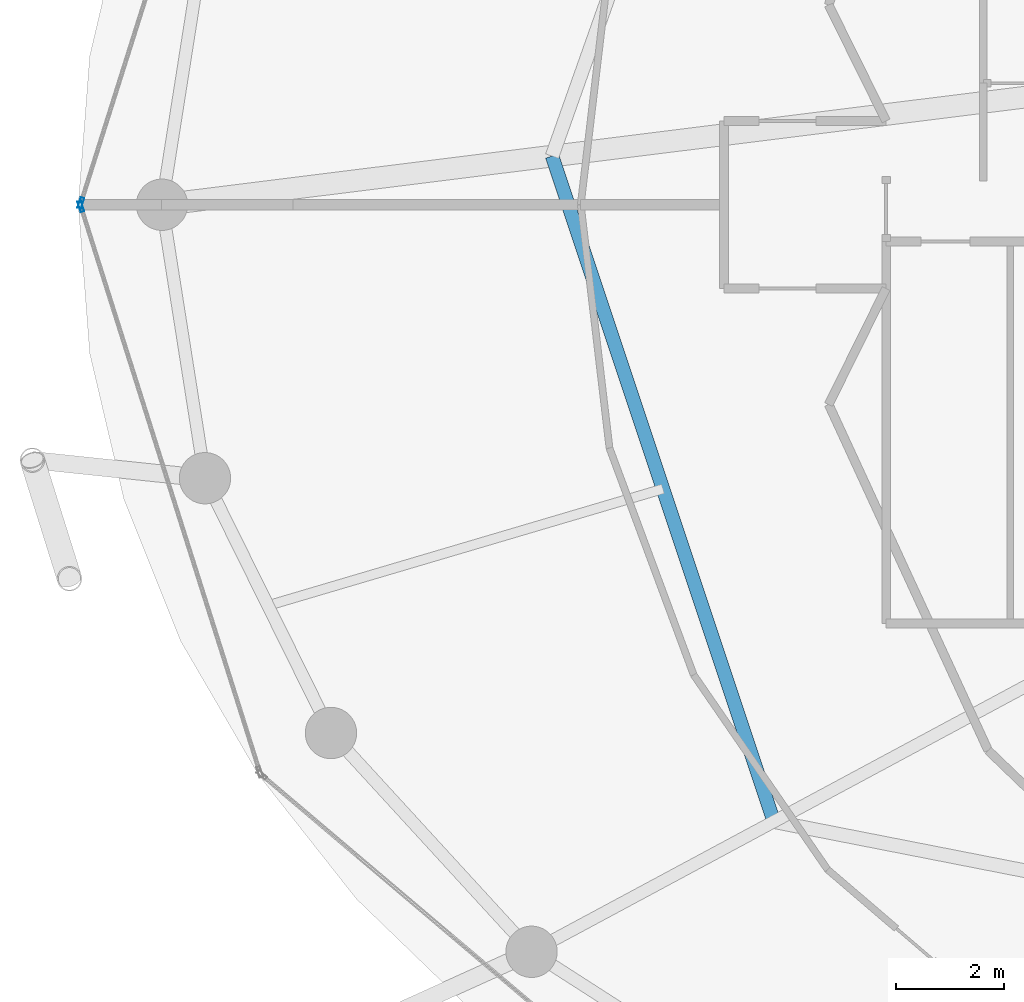
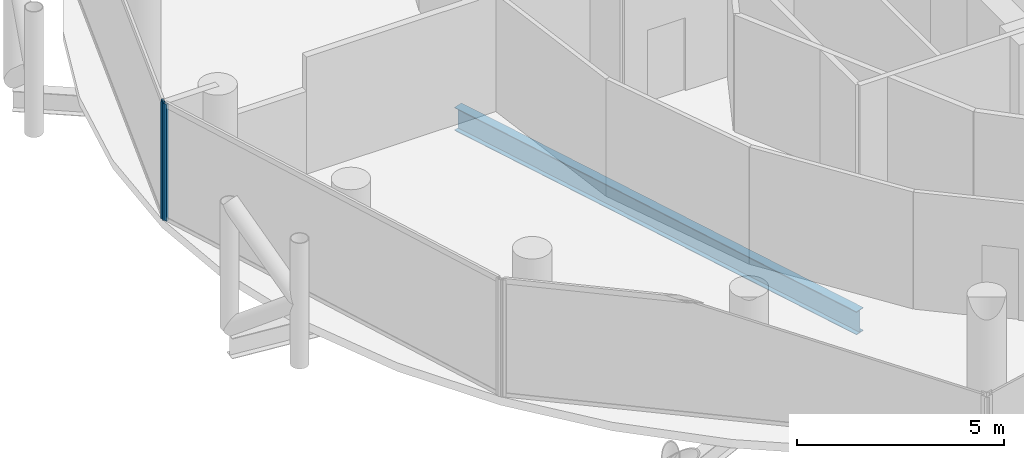
# One storey, part 6 of 26: 2 members, 1 beam, 2 elements without a shape of their own.
"""IFC4 building model written with IfcOpenShell, lengths in metres."""

import ifcopenshell
import ifcopenshell.guid

model = None  # the IFC model being written
_history = None  # IfcOwnerHistory: only IFC2X3 demands one
_inside = {}  # id of a spatial element -> (the spatial element, [elements in it])
_under = {}  # id of a project, library or spatial element -> (it, [spatial elements below it])
_declared = {}  # id of a project -> (the project, [libraries it declares])
_typed = {}  # id of a type object -> (the type object, [elements of that type])
_made_of = {}  # id of a material, layer set ... -> (it, [elements and type objects made of it])


def new_model(schema):
    """Start an empty IFC model of exactly this schema.

    Asked for "IFC4X3", IfcOpenShell would pick the latest addendum, in which some entities
    have other attributes; the version numbers below select the first issue.
    IFC2X3 requires an IfcOwnerHistory on every rooted entity: one is made here for all.
    """
    global model, _history
    if schema == "IFC4X3":
        model = ifcopenshell.file(schema_version=(4, 3, 0, 0))
    else:
        model = ifcopenshell.file(schema=schema)
    _inside.clear()
    _under.clear()
    _declared.clear()
    _typed.clear()
    _made_of.clear()
    _history = None
    if model.schema == "IFC2X3":
        org = make("IfcOrganization", Name="unknown")
        user = make(
            "IfcPersonAndOrganization",
            ThePerson=make("IfcPerson", FamilyName="unknown"),
            TheOrganization=org,
        )
        app = make(
            "IfcApplication",
            ApplicationDeveloper=org,
            Version="unknown",
            ApplicationFullName="unknown",
            ApplicationIdentifier="unknown",
        )
        _history = make(
            "IfcOwnerHistory",
            OwningUser=user,
            OwningApplication=app,
            ChangeAction="ADDED",
            CreationDate=0,
        )
    return model


def make(cls, **values):
    """One entity of the class cls with the attributes given. An attribute that is None is left unset."""
    return model.create_entity(
        cls, **{name: value for name, value in values.items() if value is not None}
    )


def rooted(cls, **values):
    """An entity with a GlobalId (a new one), such as an element, a storey or a relation."""
    return make(cls, GlobalId=ifcopenshell.guid.new(), OwnerHistory=_history, **values)


def si_unit(unit_type, name, prefix=None):
    """IfcSIUnit, for example si_unit("LENGTHUNIT", "METRE", prefix="MILLI")."""
    return make("IfcSIUnit", UnitType=unit_type, Prefix=prefix, Name=name)


def assignment(units):
    """IfcUnitAssignment: the units of a project."""
    return None if units is None else make("IfcUnitAssignment", Units=units)


def point(xyz):
    """IfcCartesianPoint."""
    return None if xyz is None else make("IfcCartesianPoint", Coordinates=xyz)


def direction(xyz):
    """IfcDirection."""
    return None if xyz is None else make("IfcDirection", DirectionRatios=xyz)


def frame(location, z_axis=None, x_axis=None):
    """IfcAxis2Placement3D, a coordinate frame: its origin and axes. An axis left out is left unset."""
    return make(
        "IfcAxis2Placement3D",
        Location=point(location),
        Axis=direction(z_axis),
        RefDirection=direction(x_axis),
    )


def frame_2d(location, x_axis=None):
    """IfcAxis2Placement2D, a coordinate frame in the plane: its origin and x axis."""
    return make(
        "IfcAxis2Placement2D", Location=point(location), RefDirection=direction(x_axis)
    )


def origin():
    """The frame at (0, 0, 0) with its axes left unset."""
    return frame((0.0, 0.0, 0.0))


def origin_2d():
    """The frame at (0, 0) in the plane with its x axis left unset."""
    return frame_2d((0.0, 0.0))


def place(relative_to, where):
    """IfcLocalPlacement: puts the frame where relative to a parent placement (None: the world)."""
    return make(
        "IfcLocalPlacement", PlacementRelTo=relative_to, RelativePlacement=where
    )


def context(
    kind, dimensions, precision=None, world=None, true_north=None, identifier=None
):
    """IfcGeometricRepresentationContext, for example the 3D "Model" context."""
    return make(
        "IfcGeometricRepresentationContext",
        ContextIdentifier=identifier,
        ContextType=kind,
        CoordinateSpaceDimension=dimensions,
        Precision=precision,
        WorldCoordinateSystem=world,
        TrueNorth=true_north,
    )


def subcontext(parent, identifier, kind, view, scale=None):
    """IfcGeometricRepresentationSubContext, for example "Body" below "Model"."""
    return make(
        "IfcGeometricRepresentationSubContext",
        ContextIdentifier=identifier,
        ContextType=kind,
        ParentContext=parent,
        TargetScale=scale,
        TargetView=view,
    )


def project(units=None, contexts=None):
    """IfcProject with its units and contexts."""
    return rooted(
        "IfcProject",
        Name="project",
        RepresentationContexts=contexts,
        UnitsInContext=assignment(units),
    )


def spatial(cls, under=None, at=None, **own):
    """A site, building, storey or space (cls), placed at a placement, below another one or the project."""
    s = rooted(cls, ObjectPlacement=at, **own)
    if under is not None:
        _under.setdefault(under.id(), (under, []))[1].append(s)
    return s


def profile(cls, at=None, kind="AREA", **sizes):
    """A parametric profile (cls). Its sizes go by their IFC names, for example OverallWidth=200.0."""
    return make(cls, ProfileType=kind, Position=at, **sizes)


def hollow_rectangle(**sizes):
    """IfcRectangleHollowProfileDef."""
    return profile("IfcRectangleHollowProfileDef", **sizes)


def i_section(**sizes):
    """IfcIShapeProfileDef."""
    return profile("IfcIShapeProfileDef", **sizes)


def extrude(swept, where, along, depth):
    """IfcExtrudedAreaSolid: the profile swept, set in the frame where, extruded along a direction by depth."""
    return make(
        "IfcExtrudedAreaSolid",
        SweptArea=swept,
        Position=where,
        ExtrudedDirection=direction(along),
        Depth=depth,
    )


def shape(context_of_items, identifier, shape_type, items):
    """IfcShapeRepresentation: the items that make up one representation, for example the "Body"."""
    return make(
        "IfcShapeRepresentation",
        ContextOfItems=context_of_items,
        RepresentationIdentifier=identifier,
        RepresentationType=shape_type,
        Items=items,
    )


def material(Name=None, Category=None):
    """IfcMaterial."""
    return make("IfcMaterial", Name=Name, Category=Category)


def layer(
    of_material, thickness, ventilated=None, Name=None, Category=None, Priority=None
):
    """IfcMaterialLayer: one layer of a wall or slab, of a material (None: an air gap)."""
    return make(
        "IfcMaterialLayer",
        Material=of_material,
        LayerThickness=thickness,
        IsVentilated=ventilated,
        Name=Name,
        Category=Category,
        Priority=Priority,
    )


def layer_set(layers, Name=None):
    """IfcMaterialLayerSet."""
    return make("IfcMaterialLayerSet", MaterialLayers=layers, LayerSetName=Name)


def material_profile(
    of_material, cross_section, Name=None, Category=None, Priority=None
):
    """IfcMaterialProfile: a cross section and its material."""
    return make(
        "IfcMaterialProfile",
        Name=Name,
        Material=of_material,
        Profile=cross_section,
        Priority=Priority,
        Category=Category,
    )


def profile_set(profiles, Name=None, composite=None):
    """IfcMaterialProfileSet."""
    return make(
        "IfcMaterialProfileSet",
        Name=Name,
        MaterialProfiles=profiles,
        CompositeProfile=composite,
    )


def made_of(thing, what):
    """Note that an element or type object is made of a material, layer set ...; save() writes the relation."""
    if what is not None:
        _made_of.setdefault(what.id(), (what, []))[1].append(thing)
    return thing


def type_object(cls, material=None, **own):
    """A type object (cls), such as IfcWallType, which elements share."""
    return made_of(rooted(cls, **own), material)


def element(
    cls,
    number,
    at=None,
    inside=None,
    cuts=None,
    type_object=None,
    material=None,
    context=None,
    identifier="Body",
    shape_type=None,
    held_by="IfcProductDefinitionShape",
    body=None,
    shapes=None,
    **own,
):
    """One element of the class cls, such as IfcWall. Its Tag is "e" and its number.

    at: its placement. inside: the storey or other place that contains it. cuts: it is an
    opening in that element (IfcRelVoidsElement). A single representation is given by context,
    identifier, shape_type and body (its items); several are given by shapes. held_by: the class
    of the entity that holds the representations. save() writes the other relations.
    """
    e = rooted(cls, Tag="e%d" % number, ObjectPlacement=at, **own)
    if body is not None:
        shapes = [shape(context, identifier, shape_type, body)]
    if shapes is not None:
        e.Representation = make(held_by, Representations=shapes)
    if inside is not None:
        _inside.setdefault(inside.id(), (inside, []))[1].append(e)
    if cuts is not None:
        rooted(
            "IfcRelVoidsElement", RelatingBuildingElement=cuts, RelatedOpeningElement=e
        )
    if type_object is not None:
        _typed.setdefault(type_object.id(), (type_object, []))[1].append(e)
    return made_of(e, material)


def aggregate(whole, parts):
    """IfcRelAggregates: a whole, such as a stair, and the parts it consists of."""
    return rooted("IfcRelAggregates", RelatingObject=whole, RelatedObjects=parts)


def save(model, path):
    """Write the relations noted so far, then the file.

    IfcRelAggregates (storeys below a building ...), IfcRelContainedInSpatialStructure (elements
    in a storey), IfcRelDefinesByType, IfcRelAssociatesMaterial and IfcRelDeclares: one each for
    every whole, place, type object, material and project.
    """
    for whole, parts in _under.values():
        aggregate(whole, parts)
    for where, things in _inside.values():
        rooted(
            "IfcRelContainedInSpatialStructure",
            RelatedElements=things,
            RelatingStructure=where,
        )
    for kind, things in _typed.values():
        rooted("IfcRelDefinesByType", RelatedObjects=things, RelatingType=kind)
    for what, things in _made_of.values():
        rooted("IfcRelAssociatesMaterial", RelatedObjects=things, RelatingMaterial=what)
    for by, libraries in _declared.values():
        rooted("IfcRelDeclares", RelatingContext=by, RelatedDefinitions=libraries)
    model.write(path)


model = new_model("IFC4")

# Units and contexts
model_context = context("Model", 3, precision=1e-05, world=origin(), true_north=direction((0.0, 1.0)))
body_context = subcontext(model_context, "Body", "Model", "MODEL_VIEW")
ifc_project = project(units=[si_unit("LENGTHUNIT", "METRE"), si_unit("AREAUNIT", "SQUARE_METRE"), si_unit("VOLUMEUNIT", "CUBIC_METRE"), si_unit("PLANEANGLEUNIT", "RADIAN"), si_unit("MASSUNIT", "GRAM", prefix="KILO")], contexts=[model_context])

# Site, building, storey
site_placement = place(None, origin())
site = spatial("IfcSite", under=ifc_project, at=site_placement, CompositionType="ELEMENT")
building_placement = place(site_placement, origin())
building = spatial("IfcBuilding", under=site, at=building_placement, Name="Nuhasar Tower", CompositionType="ELEMENT")
storey_placement = place(building_placement, frame((0.0, 0.0, 173.75)))
storey = spatial("IfcBuildingStorey", under=building, at=storey_placement, Name="L42", CompositionType="ELEMENT", Elevation=173.75)

# Beam
ifc_material_1 = material(Name="Steel S355", Category="steel")
ifc_material_profile_1 = material_profile(ifc_material_1, i_section(OverallWidth=0.25390625, OverallDepth=0.68408203125, WebThickness=0.012451171875, FlangeThickness=0.018798828125, at=origin_2d()), Name="W27X94")
ifc_profile_set_1 = profile_set([ifc_material_profile_1], Name="Steel S355")
beam_type = type_object("IfcBeamType", Name="BM-INRING-W27X94", PredefinedType="BEAM", material=ifc_profile_set_1)
beam_placement = place(storey_placement, frame((22.8701171875, 27.699951171875, -0.592041015625), z_axis=(0.31609797573, -0.948726551615, 0.0), x_axis=(0.948726551615, 0.31609797573, 0.0)))
element("IfcBeam", 1, at=beam_placement, inside=storey, type_object=beam_type, Name="L42 Inner Header Beam 08", PredefinedType="BEAM", context=body_context, shape_type="SweptSolid", body=[
    extrude(i_section(OverallWidth=0.25390625, OverallDepth=0.68408203125, WebThickness=0.012451171875, FlangeThickness=0.018798828125, at=origin_2d()), origin(), (0.0, 0.0, 1.0), 12.9794921875),
])

# Curtain wall, member
ifc_material_2 = material(Name="Aluminium 6063-T6", Category="aluminium")
ifc_layer = layer(ifc_material_2, 0.199951171875)
ifc_layer_set = layer_set([ifc_layer], Name="Aluminium 6063-T6")
curtain_wall_type = type_object("IfcCurtainWallType", Name="CW-Z2-HTL", PredefinedType="NOTDEFINED", material=ifc_layer_set)
curtain_wall_1_placement = place(storey_placement, origin())
curtain_wall_1 = element("IfcCurtainWall", 2, at=curtain_wall_1_placement, inside=storey, type_object=curtain_wall_type, Name="L42 Unitised Curtain Wall 06", PredefinedType="NOTDEFINED")
ifc_material_profile_2 = material_profile(ifc_material_2, hollow_rectangle(XDim=0.070068359375, YDim=0.199951171875, WallThickness=0.0048828125, at=origin_2d()), Name="CWM-3")
ifc_profile_set_2 = profile_set([ifc_material_profile_2], Name="Aluminium 6063-T6")
member_type = type_object("IfcMemberType", Name="CW-MUL-S3", PredefinedType="MULLION", material=ifc_profile_set_2)
member_1_placement = place(storey_placement, frame((14.150634765625, 26.833251953125, 0.0), z_axis=(0.0, 0.0, 1.0), x_axis=(0.953433389233, -0.301603667577, 0.0)))
member_1 = element("IfcMember", 3, at=member_1_placement, type_object=member_type, Name="CW-Z2 mullion 2", PredefinedType="MULLION", context=body_context, shape_type="SweptSolid", body=[
    extrude(hollow_rectangle(XDim=0.070068359375, YDim=0.199951171875, WallThickness=0.0048828125, at=origin_2d()), origin(), (0.0, 0.0, 1.0), 3.449951171875),
])
aggregate(curtain_wall_1, [member_1])

curtain_wall_2_placement = place(storey_placement, origin())
curtain_wall_2 = element("IfcCurtainWall", 4, at=curtain_wall_2_placement, inside=storey, type_object=curtain_wall_type, Name="L42 Unitised Curtain Wall 07", PredefinedType="NOTDEFINED")
member_2_placement = place(storey_placement, frame((14.150634765625, 26.7666015625, 0.0), z_axis=(0.0, 0.0, 1.0), x_axis=(0.953433389233, 0.301603667577, 0.0)))
member_2 = element("IfcMember", 5, at=member_2_placement, type_object=member_type, Name="CW-Z2 mullion 1", PredefinedType="MULLION", context=body_context, shape_type="SweptSolid", body=[
    extrude(hollow_rectangle(XDim=0.070068359375, YDim=0.199951171875, WallThickness=0.0048828125, at=origin_2d()), origin(), (0.0, 0.0, 1.0), 3.449951171875),
])
aggregate(curtain_wall_2, [member_2])

save(model, "model.ifc")
